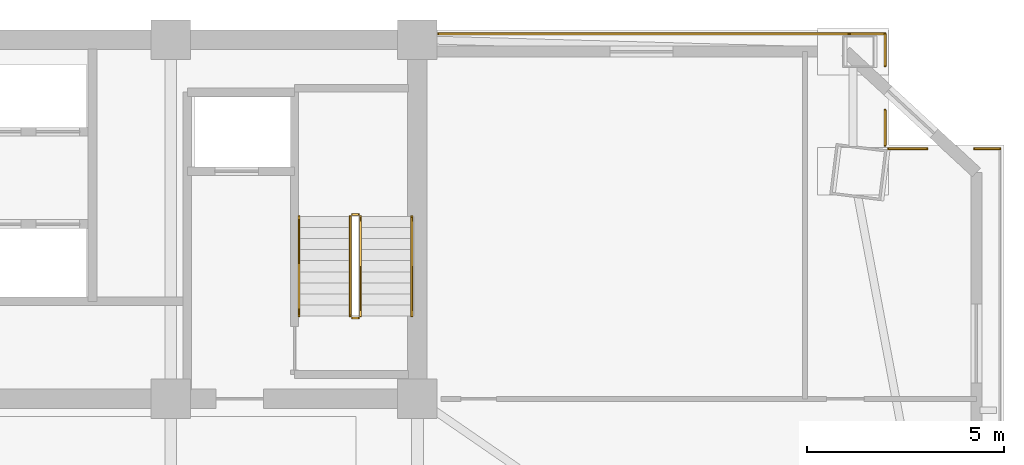
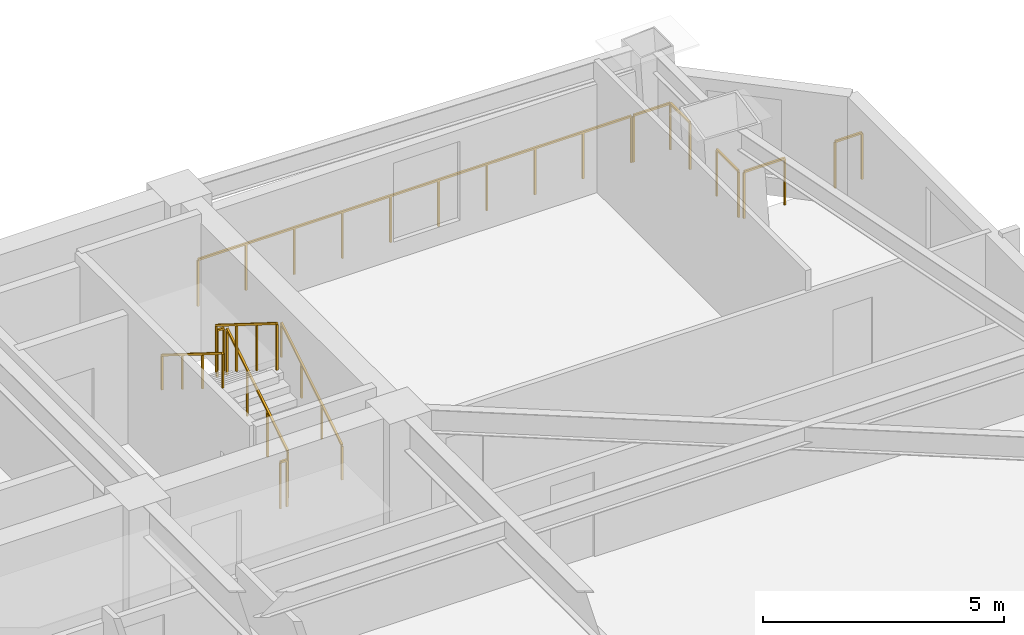
# One storey, part 16 of 16: 12 railings.
"""IFC4 building model written with IfcOpenShell, lengths in metres."""

from ifc_helpers import new_model, si_unit, direction, frame, origin, origin_2d, place, context, subcontext, project, spatial, rectangle, extrude, material, type_object, element, save


model = new_model("IFC4")

# Units and contexts
model_context = context("Model", 3, precision=1e-05, world=origin(), true_north=direction((0.0, 1.0)))
body_context = subcontext(model_context, "Body", "Model", "MODEL_VIEW")
ifc_project = project(units=[si_unit("LENGTHUNIT", "METRE"), si_unit("AREAUNIT", "SQUARE_METRE"), si_unit("VOLUMEUNIT", "CUBIC_METRE"), si_unit("PLANEANGLEUNIT", "RADIAN"), si_unit("MASSUNIT", "GRAM", prefix="KILO")], contexts=[model_context])

# Site, building, storey
site_placement = place(None, origin())
site = spatial("IfcSite", under=ifc_project, at=site_placement, CompositionType="ELEMENT")
building_placement = place(site_placement, origin())
building = spatial("IfcBuilding", under=site, at=building_placement, Name="Giltprow Tower", CompositionType="ELEMENT")
storey_placement = place(building_placement, frame((0.0, 0.0, 166.699951171875)))
storey = spatial("IfcBuildingStorey", under=building, at=storey_placement, Name="L41", CompositionType="ELEMENT", Elevation=166.699951171875)

# Railings
ifc_material = material(Name="Anodized bronze", Category="metal")
railing_type_1 = type_object("IfcRailingType", Name="RAIL-BALC-GUARD-1200", PredefinedType="BALUSTRADE", material=ifc_material)
railing_1_placement = place(storey_placement, frame((51.0849609375, 46.699951171875, 0.0)))
element("IfcRailing", 1, at=railing_1_placement, inside=storey, type_object=railing_type_1, Name="L41 Corner Apron Edge Balustrade 12", PredefinedType="BALUSTRADE", context=body_context, shape_type="SweptSolid", body=[
    extrude(rectangle(XDim=0.048095703125, YDim=0.048095703125, at=origin_2d()), frame((0.0, 0.0, 1.17578125), z_axis=(1.0, 0.0, 0.0), x_axis=(0.0, 1.0, 0.0)), (0.0, 0.0, 1.0), 10.380126953125),
    extrude(rectangle(XDim=0.0419921875, YDim=0.0419921875, at=origin_2d()), origin(), (0.0, 0.0, 1.0), 1.15185546875),
    extrude(rectangle(XDim=0.0419921875, YDim=0.0419921875, at=origin_2d()), frame((1.1533203125, 0.0, 0.0)), (0.0, 0.0, 1.0), 1.15185546875),
    extrude(rectangle(XDim=0.0419921875, YDim=0.0419921875, at=origin_2d()), frame((2.306640625, 0.0, 0.0)), (0.0, 0.0, 1.0), 1.15185546875),
    extrude(rectangle(XDim=0.0419921875, YDim=0.0419921875, at=origin_2d()), frame((3.4599609375, 0.0, 0.0)), (0.0, 0.0, 1.0), 1.15185546875),
    extrude(rectangle(XDim=0.0419921875, YDim=0.0419921875, at=origin_2d()), frame((4.61328125, 0.0, 0.0)), (0.0, 0.0, 1.0), 1.15185546875),
    extrude(rectangle(XDim=0.0419921875, YDim=0.0419921875, at=origin_2d()), frame((5.766845703125, 0.0, 0.0)), (0.0, 0.0, 1.0), 1.15185546875),
    extrude(rectangle(XDim=0.0419921875, YDim=0.0419921875, at=origin_2d()), frame((6.920166015625, 0.0, 0.0)), (0.0, 0.0, 1.0), 1.15185546875),
    extrude(rectangle(XDim=0.0419921875, YDim=0.0419921875, at=origin_2d()), frame((8.073486328125, 0.0, 0.0)), (0.0, 0.0, 1.0), 1.15185546875),
    extrude(rectangle(XDim=0.0419921875, YDim=0.0419921875, at=origin_2d()), frame((9.226806640625, 0.0, 0.0)), (0.0, 0.0, 1.0), 1.15185546875),
    extrude(rectangle(XDim=0.0419921875, YDim=0.0419921875, at=origin_2d()), frame((10.380126953125, 0.0, 0.0)), (0.0, 0.0, 1.0), 1.15185546875),
])
railing_2_placement = place(storey_placement, frame((61.52001953125, 46.699951171875, 0.0)))
element("IfcRailing", 2, at=railing_2_placement, inside=storey, type_object=railing_type_1, Name="L41 Corner Apron Edge Balustrade 13", PredefinedType="BALUSTRADE", context=body_context, shape_type="SweptSolid", body=[
    extrude(rectangle(XDim=0.048095703125, YDim=0.048095703125, at=origin_2d()), frame((0.0, 0.0, 1.17578125), z_axis=(1.0, 0.0, 0.0), x_axis=(0.0, 1.0, 0.0)), (0.0, 0.0, 1.0), 0.883056640625),
    extrude(rectangle(XDim=0.0419921875, YDim=0.0419921875, at=origin_2d()), origin(), (0.0, 0.0, 1.0), 1.15185546875),
    extrude(rectangle(XDim=0.0419921875, YDim=0.0419921875, at=origin_2d()), frame((0.883056640625, 0.0, 0.0)), (0.0, 0.0, 1.0), 1.15185546875),
])
railing_3_placement = place(storey_placement, frame((62.403076171875, 46.699951171875, 0.0)))
element("IfcRailing", 3, at=railing_3_placement, inside=storey, type_object=railing_type_1, Name="L41 Corner Apron Edge Balustrade 14", PredefinedType="BALUSTRADE", context=body_context, shape_type="SweptSolid", body=[
    extrude(rectangle(XDim=0.048095703125, YDim=0.048095703125, at=origin_2d()), frame((0.0, 0.0, 1.17578125), z_axis=(0.0, -1.0, 0.0), x_axis=(1.0, 0.0, 0.0)), (0.0, 0.0, 1.0), 0.81591796875),
    extrude(rectangle(XDim=0.0419921875, YDim=0.0419921875, at=origin_2d()), origin(), (0.0, 0.0, 1.0), 1.15185546875),
    extrude(rectangle(XDim=0.0419921875, YDim=0.0419921875, at=origin_2d()), frame((0.0, -0.81591796875, 0.0)), (0.0, 0.0, 1.0), 1.15185546875),
])
railing_4_placement = place(storey_placement, frame((62.403076171875, 44.76708984375, 0.0)))
element("IfcRailing", 4, at=railing_4_placement, inside=storey, type_object=railing_type_1, Name="L41 Corner Apron Edge Balustrade 15", PredefinedType="BALUSTRADE", context=body_context, shape_type="SweptSolid", body=[
    extrude(rectangle(XDim=0.048095703125, YDim=0.048095703125, at=origin_2d()), frame((0.0, 0.0, 1.17578125), z_axis=(0.0, -1.0, 0.0), x_axis=(1.0, 0.0, 0.0)), (0.0, 0.0, 1.0), 0.89501953125),
    extrude(rectangle(XDim=0.0419921875, YDim=0.0419921875, at=origin_2d()), origin(), (0.0, 0.0, 1.0), 1.15185546875),
    extrude(rectangle(XDim=0.0419921875, YDim=0.0419921875, at=origin_2d()), frame((0.0, -0.89501953125, 0.0)), (0.0, 0.0, 1.0), 1.15185546875),
])
railing_5_placement = place(storey_placement, frame((62.488037109375, 43.787109375, 0.0)))
element("IfcRailing", 5, at=railing_5_placement, inside=storey, type_object=railing_type_1, Name="L41 Corner Apron Edge Balustrade 16", PredefinedType="BALUSTRADE", context=body_context, shape_type="SweptSolid", body=[
    extrude(rectangle(XDim=0.048095703125, YDim=0.048095703125, at=origin_2d()), frame((0.0, 0.0, 1.17578125), z_axis=(1.0, 0.0, 0.0), x_axis=(0.0, 1.0, 0.0)), (0.0, 0.0, 1.0), 0.974853515625),
    extrude(rectangle(XDim=0.0419921875, YDim=0.0419921875, at=origin_2d()), origin(), (0.0, 0.0, 1.0), 1.15185546875),
    extrude(rectangle(XDim=0.0419921875, YDim=0.0419921875, at=origin_2d()), frame((0.974853515625, 0.0, 0.0)), (0.0, 0.0, 1.0), 1.15185546875),
])
railing_6_placement = place(storey_placement, frame((64.6708984375, 43.787109375, 0.0)))
element("IfcRailing", 6, at=railing_6_placement, inside=storey, type_object=railing_type_1, Name="L41 Corner Apron Edge Balustrade 17", PredefinedType="BALUSTRADE", context=body_context, shape_type="SweptSolid", body=[
    extrude(rectangle(XDim=0.048095703125, YDim=0.048095703125, at=origin_2d()), frame((0.0, 0.0, 1.17578125), z_axis=(1.0, 0.0, 0.0), x_axis=(0.0, 1.0, 0.0)), (0.0, 0.0, 1.0), 0.64501953125),
    extrude(rectangle(XDim=0.0419921875, YDim=0.0419921875, at=origin_2d()), origin(), (0.0, 0.0, 1.0), 1.15185546875),
    extrude(rectangle(XDim=0.0419921875, YDim=0.0419921875, at=origin_2d()), frame((0.64501953125, 0.0, 0.0)), (0.0, 0.0, 1.0), 1.15185546875),
])
railing_type_2 = type_object("IfcRailingType", Name="RAIL-STAIR-GUARD-1200", PredefinedType="GUARDRAIL", material=ifc_material)
railing_7_placement = place(storey_placement, frame((49.110107421875, 39.550048828125, 0.175048828125)))
element("IfcRailing", 7, at=railing_7_placement, inside=storey, type_object=railing_type_2, Name="L41 ST-3 stair guard 1", PredefinedType="GUARDRAIL", context=body_context, shape_type="SweptSolid", body=[
    extrude(rectangle(XDim=0.048095703125, YDim=0.048095703125, at=origin_2d()), frame((0.0, 0.0, 1.17578125), z_axis=(0.0, 0.848007534815, 0.529984170421), x_axis=(-1.0, 0.0, 0.0)), (0.0, 0.0, 1.0), 2.9716796875),
    extrude(rectangle(XDim=0.0419921875, YDim=0.0419921875, at=origin_2d()), origin(), (0.0, 0.0, 1.0), 1.15185546875),
    extrude(rectangle(XDim=0.0419921875, YDim=0.0419921875, at=origin_2d()), frame((0.0, 0.840087890625, 0.52490234375)), (0.0, 0.0, 1.0), 1.15185546875),
    extrude(rectangle(XDim=0.0419921875, YDim=0.0419921875, at=origin_2d()), frame((0.0, 1.679931640625, 1.050048828125)), (0.0, 0.0, 1.0), 1.15185546875),
    extrude(rectangle(XDim=0.0419921875, YDim=0.0419921875, at=origin_2d()), frame((0.0, 2.52001953125, 1.574951171875)), (0.0, 0.0, 1.0), 1.15185546875),
])
railing_8_placement = place(storey_placement, frame((49.06005859375, 42.1201171875, 1.75)))
element("IfcRailing", 8, at=railing_8_placement, inside=storey, type_object=railing_type_2, Name="L41 ST-3 stair guard 2", PredefinedType="GUARDRAIL", context=body_context, shape_type="SweptSolid", body=[
    extrude(rectangle(XDim=0.048095703125, YDim=0.048095703125, at=origin_2d()), frame((0.0, 0.0, 1.17578125), z_axis=(-1.0, 0.0, 0.0), x_axis=(0.0, -1.0, 0.0)), (0.0, 0.0, 1.0), 0.16015625),
    extrude(rectangle(XDim=0.0419921875, YDim=0.0419921875, at=origin_2d()), origin(), (0.0, 0.0, 1.0), 1.15185546875),
    extrude(rectangle(XDim=0.0419921875, YDim=0.0419921875, at=origin_2d()), frame((-0.16015625, 0.0, 0.0)), (0.0, 0.0, 1.0), 1.15185546875),
])
railing_9_placement = place(storey_placement, frame((48.85009765625, 42.070068359375, 1.925048828125)))
element("IfcRailing", 9, at=railing_9_placement, inside=storey, type_object=railing_type_2, Name="L41 ST-3 stair guard 3", PredefinedType="GUARDRAIL", context=body_context, shape_type="SweptSolid", body=[
    extrude(rectangle(XDim=0.048095703125, YDim=0.048095703125, at=origin_2d()), frame((0.0, 0.0, 1.17578125), z_axis=(0.0, -0.848007534815, 0.529984170421), x_axis=(1.0, 0.0, 0.0)), (0.0, 0.0, 1.0), 2.9716796875),
    extrude(rectangle(XDim=0.0419921875, YDim=0.0419921875, at=origin_2d()), origin(), (0.0, 0.0, 1.0), 1.15185546875),
    extrude(rectangle(XDim=0.0419921875, YDim=0.0419921875, at=origin_2d()), frame((0.0, -0.840087890625, 0.52490234375)), (0.0, 0.0, 1.0), 1.15185546875),
    extrude(rectangle(XDim=0.0419921875, YDim=0.0419921875, at=origin_2d()), frame((0.0, -1.679931640625, 1.050048828125)), (0.0, 0.0, 1.0), 1.15185546875),
    extrude(rectangle(XDim=0.0419921875, YDim=0.0419921875, at=origin_2d()), frame((0.0, -2.52001953125, 1.574951171875)), (0.0, 0.0, 1.0), 1.15185546875),
])
railing_10_placement = place(storey_placement, frame((49.06005859375, 39.5, 0.0)))
element("IfcRailing", 10, at=railing_10_placement, inside=storey, type_object=railing_type_2, Name="L41 ST-3 stair guard 4", PredefinedType="GUARDRAIL", context=body_context, shape_type="SweptSolid", body=[
    extrude(rectangle(XDim=0.048095703125, YDim=0.048095703125, at=origin_2d()), frame((0.0, 0.0, 1.17578125), z_axis=(-1.0, 0.0, 0.0), x_axis=(0.0, -1.0, 0.0)), (0.0, 0.0, 1.0), 0.16015625),
    extrude(rectangle(XDim=0.0419921875, YDim=0.0419921875, at=origin_2d()), origin(), (0.0, 0.0, 1.0), 1.15185546875),
    extrude(rectangle(XDim=0.0419921875, YDim=0.0419921875, at=origin_2d()), frame((-0.16015625, 0.0, 0.0)), (0.0, 0.0, 1.0), 1.15185546875),
])
railing_type_3 = type_object("IfcRailingType", Name="RAIL-STAIR-HAND-900", PredefinedType="HANDRAIL", material=ifc_material)
railing_11_placement = place(storey_placement, frame((50.409912109375, 39.550048828125, 0.175048828125)))
element("IfcRailing", 11, at=railing_11_placement, inside=storey, type_object=railing_type_3, Name="L41 ST-3 stair handrail 1", PredefinedType="HANDRAIL", context=body_context, shape_type="SweptSolid", body=[
    extrude(rectangle(XDim=0.048095703125, YDim=0.048095703125, at=origin_2d()), frame((0.0, 0.0, 0.8759765625), z_axis=(0.0, 0.848007534815, 0.529984170421), x_axis=(-1.0, 0.0, 0.0)), (0.0, 0.0, 1.0), 2.9716796875),
    extrude(rectangle(XDim=0.0419921875, YDim=0.0419921875, at=origin_2d()), origin(), (0.0, 0.0, 1.0), 0.851806640625),
    extrude(rectangle(XDim=0.0419921875, YDim=0.0419921875, at=origin_2d()), frame((0.0, 0.840087890625, 0.52490234375)), (0.0, 0.0, 1.0), 0.851806640625),
    extrude(rectangle(XDim=0.0419921875, YDim=0.0419921875, at=origin_2d()), frame((0.0, 1.679931640625, 1.050048828125)), (0.0, 0.0, 1.0), 0.851806640625),
    extrude(rectangle(XDim=0.0419921875, YDim=0.0419921875, at=origin_2d()), frame((0.0, 2.52001953125, 1.574951171875)), (0.0, 0.0, 1.0), 0.851806640625),
])
railing_12_placement = place(storey_placement, frame((47.550048828125, 42.070068359375, 1.925048828125)))
element("IfcRailing", 12, at=railing_12_placement, inside=storey, type_object=railing_type_3, Name="L41 ST-3 stair handrail 2", PredefinedType="HANDRAIL", context=body_context, shape_type="SweptSolid", body=[
    extrude(rectangle(XDim=0.048095703125, YDim=0.048095703125, at=origin_2d()), frame((0.0, 0.0, 0.8759765625), z_axis=(0.0, -0.848007534815, 0.529984170421), x_axis=(1.0, 0.0, 0.0)), (0.0, 0.0, 1.0), 2.9716796875),
    extrude(rectangle(XDim=0.0419921875, YDim=0.0419921875, at=origin_2d()), origin(), (0.0, 0.0, 1.0), 0.851806640625),
    extrude(rectangle(XDim=0.0419921875, YDim=0.0419921875, at=origin_2d()), frame((0.0, -0.840087890625, 0.52490234375)), (0.0, 0.0, 1.0), 0.851806640625),
    extrude(rectangle(XDim=0.0419921875, YDim=0.0419921875, at=origin_2d()), frame((0.0, -1.679931640625, 1.050048828125)), (0.0, 0.0, 1.0), 0.851806640625),
    extrude(rectangle(XDim=0.0419921875, YDim=0.0419921875, at=origin_2d()), frame((0.0, -2.52001953125, 1.574951171875)), (0.0, 0.0, 1.0), 0.851806640625),
])

save(model, "model.ifc")
